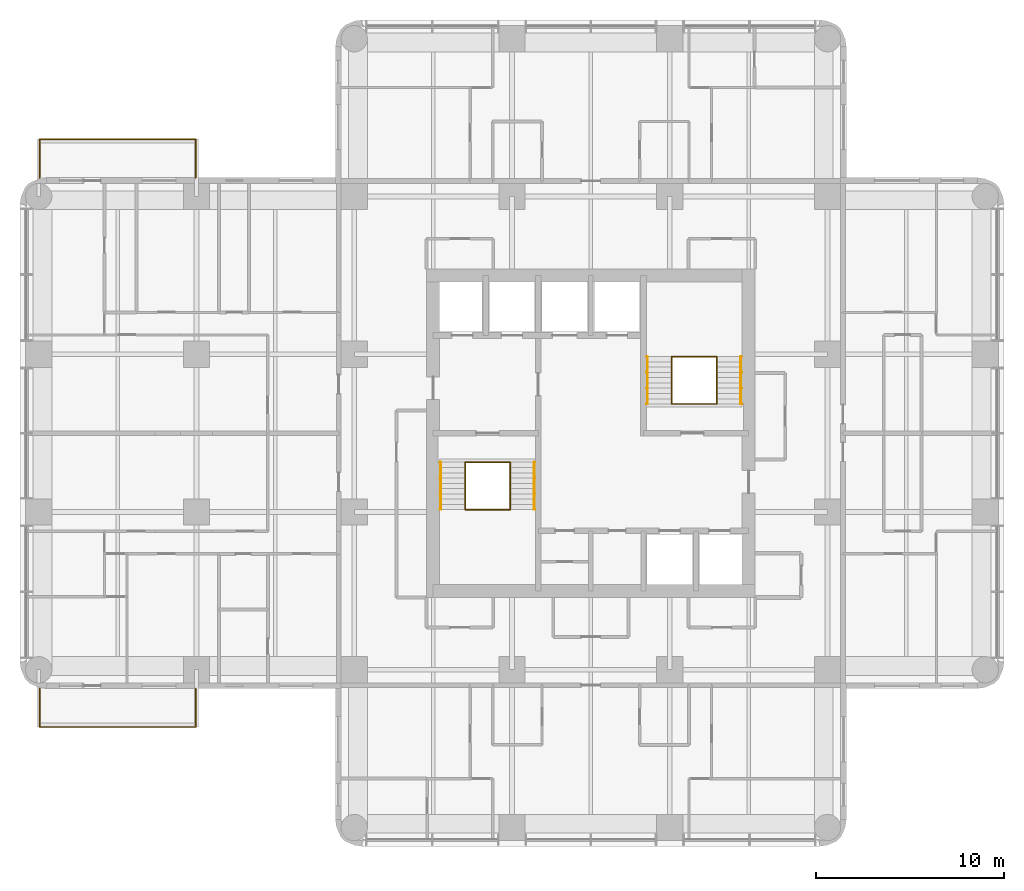
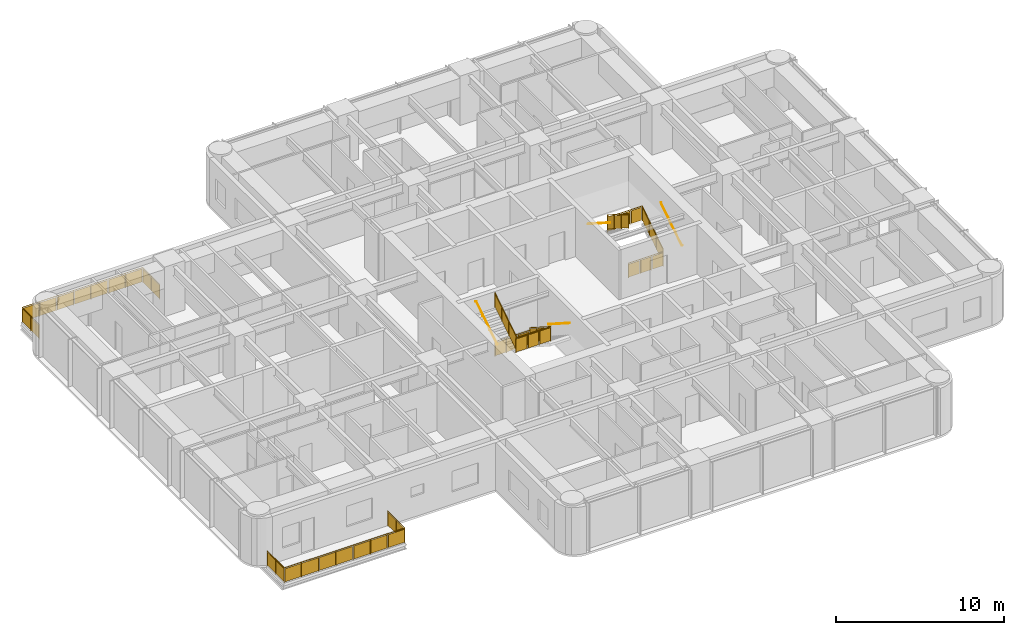
# One storey, part 11 of 11: 14 railings.
"""IFC4 building model written with IfcOpenShell, lengths in metres."""

from ifc_helpers import new_model, si_unit, direction, frame, origin, origin_2d, place, context, subcontext, project, spatial, polyline, circle, outline, extrude, material, constituent, constituent_set, type_object, element, save


model = new_model("IFC4")

# Units and contexts
model_context = context("Model", 3, precision=1e-05, world=origin(), true_north=direction((0.0, 1.0)))
body_context = subcontext(model_context, "Body", "Model", "MODEL_VIEW")
ifc_project = project(units=[si_unit("LENGTHUNIT", "METRE"), si_unit("AREAUNIT", "SQUARE_METRE"), si_unit("VOLUMEUNIT", "CUBIC_METRE"), si_unit("PLANEANGLEUNIT", "RADIAN"), si_unit("MASSUNIT", "GRAM", prefix="KILO")], contexts=[model_context])

# Site, building, storey
site_placement = place(None, origin())
site = spatial("IfcSite", under=ifc_project, at=site_placement, CompositionType="ELEMENT")
building_placement = place(site_placement, origin())
building = spatial("IfcBuilding", under=site, at=building_placement, Name="Torre Alcanfor", CompositionType="ELEMENT")
storey_placement = place(building_placement, frame((0.0, 0.0, 190.5)))
storey = spatial("IfcBuildingStorey", under=building, at=storey_placement, Name="L49", CompositionType="ELEMENT", Elevation=190.5)

# Railings
ifc_material_1 = material(Name="Laminated safety glass", Category="glass")
ifc_constituent_1 = constituent(ifc_material_1, Name="Infill")
ifc_material_2 = material(Name="Stainless steel ASTM A554 Grade MT 316L tube", Category="steel")
ifc_constituent_2 = constituent(ifc_material_2, Name="Posts and rail")
ifc_constituent_set = constituent_set(constituents=[ifc_constituent_1, ifc_constituent_2], Name="Balcony guard glass 1100")
railing_type_1 = type_object("IfcRailingType", Name="Balcony guard glass 1100", PredefinedType="BALUSTRADE", material=ifc_constituent_set)
railing_1_placement = place(storey_placement, frame((8.35009765625, 15.800048828125, 0.0)))
element("IfcRailing", 1, at=railing_1_placement, inside=storey, type_object=railing_type_1, Name="Balcony guard L49-W1", PredefinedType="BALUSTRADE", context=body_context, shape_type="SweptSolid", body=[
    extrude(circle(Radius=0.02392578125, at=origin_2d()), frame((0.0, 0.0, 1.076171875), z_axis=(0.0, -1.0, 0.0), x_axis=(1.0, 0.0, 0.0)), (0.0, 0.0, 1.0), 2.050048828125),
    extrude(circle(Radius=0.02392578125, at=origin_2d()), frame((0.0, -2.050048828125, 1.076171875), z_axis=(-1.0, 0.0, 0.0), x_axis=(0.0, -1.0, 0.0)), (0.0, 0.0, 1.0), 8.300048828125),
    extrude(circle(Radius=0.02392578125, at=origin_2d()), frame((-8.300048828125, -2.050048828125, 1.076171875), z_axis=(0.0, 1.0, 0.0), x_axis=(-1.0, 0.0, 0.0)), (0.0, 0.0, 1.0), 2.050048828125),
    extrude(circle(Radius=0.02099609375, at=origin_2d()), origin(), (0.0, 0.0, 1.0), 1.052001953125),
    extrude(circle(Radius=0.02099609375, at=origin_2d()), frame((0.0, -1.02490234375, 0.0)), (0.0, 0.0, 1.0), 1.052001953125),
    extrude(circle(Radius=0.02099609375, at=origin_2d()), frame((0.0, -2.050048828125, 0.0)), (0.0, 0.0, 1.0), 1.052001953125),
    extrude(circle(Radius=0.02099609375, at=origin_2d()), frame((-1.185791015625, -2.050048828125, 0.0)), (0.0, 0.0, 1.0), 1.052001953125),
    extrude(circle(Radius=0.02099609375, at=origin_2d()), frame((-2.371337890625, -2.050048828125, 0.0)), (0.0, 0.0, 1.0), 1.052001953125),
    extrude(circle(Radius=0.02099609375, at=origin_2d()), frame((-3.55712890625, -2.050048828125, 0.0)), (0.0, 0.0, 1.0), 1.052001953125),
    extrude(circle(Radius=0.02099609375, at=origin_2d()), frame((-4.742919921875, -2.050048828125, 0.0)), (0.0, 0.0, 1.0), 1.052001953125),
    extrude(circle(Radius=0.02099609375, at=origin_2d()), frame((-5.9287109375, -2.050048828125, 0.0)), (0.0, 0.0, 1.0), 1.052001953125),
    extrude(circle(Radius=0.02099609375, at=origin_2d()), frame((-7.1142578125, -2.050048828125, 0.0)), (0.0, 0.0, 1.0), 1.052001953125),
    extrude(circle(Radius=0.02099609375, at=origin_2d()), frame((-8.300048828125, -2.050048828125, 0.0)), (0.0, 0.0, 1.0), 1.052001953125),
    extrude(circle(Radius=0.02099609375, at=origin_2d()), frame((-8.300048828125, -1.02490234375, 0.0)), (0.0, 0.0, 1.0), 1.052001953125),
    extrude(circle(Radius=0.02099609375, at=origin_2d()), frame((-8.300048828125, 0.0, 0.0)), (0.0, 0.0, 1.0), 1.052001953125),
    extrude(outline(polyline([(0.041015625, 0.050048828125), (0.984130859375, 0.050048828125), (0.984130859375, 1.001953125), (0.041015625, 1.001953125), (0.041015625, 0.050048828125)])), frame((0.005859375, 0.0, 0.0), z_axis=(-1.0, 0.0, 0.0), x_axis=(0.0, -1.0, 0.0)), (0.0, 0.0, 1.0), 0.011962890625),
    extrude(outline(polyline([(1.06591796875, 0.050048828125), (2.009033203125, 0.050048828125), (2.009033203125, 1.001953125), (1.06591796875, 1.001953125), (1.06591796875, 0.050048828125)])), frame((0.005859375, 0.0, 0.0), z_axis=(-1.0, 0.0, 0.0), x_axis=(0.0, -1.0, 0.0)), (0.0, 0.0, 1.0), 0.011962890625),
    extrude(outline(polyline([(0.041015625, 0.050048828125), (1.144775390625, 0.050048828125), (1.144775390625, 1.001953125), (0.041015625, 1.001953125), (0.041015625, 0.050048828125)])), frame((0.0, -2.05615234375, 0.0), z_axis=(0.0, 1.0, 0.0), x_axis=(-1.0, 0.0, 0.0)), (0.0, 0.0, 1.0), 0.011962890625),
    extrude(outline(polyline([(1.226806640625, 0.050048828125), (2.330322265625, 0.050048828125), (2.330322265625, 1.001953125), (1.226806640625, 1.001953125), (1.226806640625, 0.050048828125)])), frame((0.0, -2.05615234375, 0.0), z_axis=(0.0, 1.0, 0.0), x_axis=(-1.0, 0.0, 0.0)), (0.0, 0.0, 1.0), 0.011962890625),
    extrude(outline(polyline([(2.412353515625, 0.050048828125), (3.51611328125, 0.050048828125), (3.51611328125, 1.001953125), (2.412353515625, 1.001953125), (2.412353515625, 0.050048828125)])), frame((0.0, -2.05615234375, 0.0), z_axis=(0.0, 1.0, 0.0), x_axis=(-1.0, 0.0, 0.0)), (0.0, 0.0, 1.0), 0.011962890625),
    extrude(outline(polyline([(3.59814453125, 0.050048828125), (4.701904296875, 0.050048828125), (4.701904296875, 1.001953125), (3.59814453125, 1.001953125), (3.59814453125, 0.050048828125)])), frame((0.0, -2.05615234375, 0.0), z_axis=(0.0, 1.0, 0.0), x_axis=(-1.0, 0.0, 0.0)), (0.0, 0.0, 1.0), 0.011962890625),
    extrude(outline(polyline([(4.783935546875, 0.050048828125), (5.8876953125, 0.050048828125), (5.8876953125, 1.001953125), (4.783935546875, 1.001953125), (4.783935546875, 0.050048828125)])), frame((0.0, -2.05615234375, 0.0), z_axis=(0.0, 1.0, 0.0), x_axis=(-1.0, 0.0, 0.0)), (0.0, 0.0, 1.0), 0.011962890625),
    extrude(outline(polyline([(5.9697265625, 0.050048828125), (7.0732421875, 0.050048828125), (7.0732421875, 1.001953125), (5.9697265625, 1.001953125), (5.9697265625, 0.050048828125)])), frame((0.0, -2.05615234375, 0.0), z_axis=(0.0, 1.0, 0.0), x_axis=(-1.0, 0.0, 0.0)), (0.0, 0.0, 1.0), 0.011962890625),
    extrude(outline(polyline([(7.1552734375, 0.050048828125), (8.259033203125, 0.050048828125), (8.259033203125, 1.001953125), (7.1552734375, 1.001953125), (7.1552734375, 0.050048828125)])), frame((0.0, -2.05615234375, 0.0), z_axis=(0.0, 1.0, 0.0), x_axis=(-1.0, 0.0, 0.0)), (0.0, 0.0, 1.0), 0.011962890625),
    extrude(outline(polyline([(0.041015625, 0.050048828125), (0.984130859375, 0.050048828125), (0.984130859375, 1.001953125), (0.041015625, 1.001953125), (0.041015625, 0.050048828125)])), frame((-8.30615234375, -2.050048828125, 0.0), z_axis=(1.0, 0.0, 0.0), x_axis=(0.0, 1.0, 0.0)), (0.0, 0.0, 1.0), 0.011962890625),
    extrude(outline(polyline([(1.06591796875, 0.050048828125), (2.009033203125, 0.050048828125), (2.009033203125, 1.001953125), (1.06591796875, 1.001953125), (1.06591796875, 0.050048828125)])), frame((-8.30615234375, -2.050048828125, 0.0), z_axis=(1.0, 0.0, 0.0), x_axis=(0.0, 1.0, 0.0)), (0.0, 0.0, 1.0), 0.011962890625),
])
railing_2_placement = place(storey_placement, frame((8.35009765625, 43.0, 0.0)))
element("IfcRailing", 2, at=railing_2_placement, inside=storey, type_object=railing_type_1, Name="Balcony guard L49-W2", PredefinedType="BALUSTRADE", context=body_context, shape_type="SweptSolid", body=[
    extrude(circle(Radius=0.02392578125, at=origin_2d()), frame((0.0, 0.0, 1.076171875), z_axis=(0.0, 1.0, 0.0), x_axis=(-1.0, 0.0, 0.0)), (0.0, 0.0, 1.0), 2.050048828125),
    extrude(circle(Radius=0.02392578125, at=origin_2d()), frame((0.0, 2.050048828125, 1.076171875), z_axis=(-1.0, 0.0, 0.0), x_axis=(0.0, -1.0, 0.0)), (0.0, 0.0, 1.0), 8.300048828125),
    extrude(circle(Radius=0.02392578125, at=origin_2d()), frame((-8.300048828125, 2.050048828125, 1.076171875), z_axis=(0.0, -1.0, 0.0), x_axis=(1.0, 0.0, 0.0)), (0.0, 0.0, 1.0), 2.050048828125),
    extrude(circle(Radius=0.02099609375, at=origin_2d()), origin(), (0.0, 0.0, 1.0), 1.052001953125),
    extrude(circle(Radius=0.02099609375, at=origin_2d()), frame((0.0, 1.02490234375, 0.0)), (0.0, 0.0, 1.0), 1.052001953125),
    extrude(circle(Radius=0.02099609375, at=origin_2d()), frame((0.0, 2.050048828125, 0.0)), (0.0, 0.0, 1.0), 1.052001953125),
    extrude(circle(Radius=0.02099609375, at=origin_2d()), frame((-1.185791015625, 2.050048828125, 0.0)), (0.0, 0.0, 1.0), 1.052001953125),
    extrude(circle(Radius=0.02099609375, at=origin_2d()), frame((-2.371337890625, 2.050048828125, 0.0)), (0.0, 0.0, 1.0), 1.052001953125),
    extrude(circle(Radius=0.02099609375, at=origin_2d()), frame((-3.55712890625, 2.050048828125, 0.0)), (0.0, 0.0, 1.0), 1.052001953125),
    extrude(circle(Radius=0.02099609375, at=origin_2d()), frame((-4.742919921875, 2.050048828125, 0.0)), (0.0, 0.0, 1.0), 1.052001953125),
    extrude(circle(Radius=0.02099609375, at=origin_2d()), frame((-5.9287109375, 2.050048828125, 0.0)), (0.0, 0.0, 1.0), 1.052001953125),
    extrude(circle(Radius=0.02099609375, at=origin_2d()), frame((-7.1142578125, 2.050048828125, 0.0)), (0.0, 0.0, 1.0), 1.052001953125),
    extrude(circle(Radius=0.02099609375, at=origin_2d()), frame((-8.300048828125, 2.050048828125, 0.0)), (0.0, 0.0, 1.0), 1.052001953125),
    extrude(circle(Radius=0.02099609375, at=origin_2d()), frame((-8.300048828125, 1.02490234375, 0.0)), (0.0, 0.0, 1.0), 1.052001953125),
    extrude(circle(Radius=0.02099609375, at=origin_2d()), frame((-8.300048828125, 0.0, 0.0)), (0.0, 0.0, 1.0), 1.052001953125),
    extrude(outline(polyline([(0.041015625, 0.050048828125), (0.984130859375, 0.050048828125), (0.984130859375, 1.001953125), (0.041015625, 1.001953125), (0.041015625, 0.050048828125)])), frame((-0.005859375, 0.0, 0.0), z_axis=(1.0, 0.0, 0.0), x_axis=(0.0, 1.0, 0.0)), (0.0, 0.0, 1.0), 0.011962890625),
    extrude(outline(polyline([(1.06591796875, 0.050048828125), (2.009033203125, 0.050048828125), (2.009033203125, 1.001953125), (1.06591796875, 1.001953125), (1.06591796875, 0.050048828125)])), frame((-0.005859375, 0.0, 0.0), z_axis=(1.0, 0.0, 0.0), x_axis=(0.0, 1.0, 0.0)), (0.0, 0.0, 1.0), 0.011962890625),
    extrude(outline(polyline([(0.041015625, 0.050048828125), (1.144775390625, 0.050048828125), (1.144775390625, 1.001953125), (0.041015625, 1.001953125), (0.041015625, 0.050048828125)])), frame((0.0, 2.0439453125, 0.0), z_axis=(0.0, 1.0, 0.0), x_axis=(-1.0, 0.0, 0.0)), (0.0, 0.0, 1.0), 0.011962890625),
    extrude(outline(polyline([(1.226806640625, 0.050048828125), (2.330322265625, 0.050048828125), (2.330322265625, 1.001953125), (1.226806640625, 1.001953125), (1.226806640625, 0.050048828125)])), frame((0.0, 2.0439453125, 0.0), z_axis=(0.0, 1.0, 0.0), x_axis=(-1.0, 0.0, 0.0)), (0.0, 0.0, 1.0), 0.011962890625),
    extrude(outline(polyline([(2.412353515625, 0.050048828125), (3.51611328125, 0.050048828125), (3.51611328125, 1.001953125), (2.412353515625, 1.001953125), (2.412353515625, 0.050048828125)])), frame((0.0, 2.0439453125, 0.0), z_axis=(0.0, 1.0, 0.0), x_axis=(-1.0, 0.0, 0.0)), (0.0, 0.0, 1.0), 0.011962890625),
    extrude(outline(polyline([(3.59814453125, 0.050048828125), (4.701904296875, 0.050048828125), (4.701904296875, 1.001953125), (3.59814453125, 1.001953125), (3.59814453125, 0.050048828125)])), frame((0.0, 2.0439453125, 0.0), z_axis=(0.0, 1.0, 0.0), x_axis=(-1.0, 0.0, 0.0)), (0.0, 0.0, 1.0), 0.011962890625),
    extrude(outline(polyline([(4.783935546875, 0.050048828125), (5.8876953125, 0.050048828125), (5.8876953125, 1.001953125), (4.783935546875, 1.001953125), (4.783935546875, 0.050048828125)])), frame((0.0, 2.0439453125, 0.0), z_axis=(0.0, 1.0, 0.0), x_axis=(-1.0, 0.0, 0.0)), (0.0, 0.0, 1.0), 0.011962890625),
    extrude(outline(polyline([(5.9697265625, 0.050048828125), (7.0732421875, 0.050048828125), (7.0732421875, 1.001953125), (5.9697265625, 1.001953125), (5.9697265625, 0.050048828125)])), frame((0.0, 2.0439453125, 0.0), z_axis=(0.0, 1.0, 0.0), x_axis=(-1.0, 0.0, 0.0)), (0.0, 0.0, 1.0), 0.011962890625),
    extrude(outline(polyline([(7.1552734375, 0.050048828125), (8.259033203125, 0.050048828125), (8.259033203125, 1.001953125), (7.1552734375, 1.001953125), (7.1552734375, 0.050048828125)])), frame((0.0, 2.0439453125, 0.0), z_axis=(0.0, 1.0, 0.0), x_axis=(-1.0, 0.0, 0.0)), (0.0, 0.0, 1.0), 0.011962890625),
    extrude(outline(polyline([(0.041015625, 0.050048828125), (0.984130859375, 0.050048828125), (0.984130859375, 1.001953125), (0.041015625, 1.001953125), (0.041015625, 0.050048828125)])), frame((-8.2939453125, 2.050048828125, 0.0), z_axis=(-1.0, 0.0, 0.0), x_axis=(0.0, -1.0, 0.0)), (0.0, 0.0, 1.0), 0.011962890625),
    extrude(outline(polyline([(1.06591796875, 0.050048828125), (2.009033203125, 0.050048828125), (2.009033203125, 1.001953125), (1.06591796875, 1.001953125), (1.06591796875, 0.050048828125)])), frame((-8.2939453125, 2.050048828125, 0.0), z_axis=(-1.0, 0.0, 0.0), x_axis=(0.0, -1.0, 0.0)), (0.0, 0.0, 1.0), 0.011962890625),
])
ifc_material_3 = material(Name="Steel ASTM A500 Grade C hollow sections", Category="steel")
railing_type_2 = type_object("IfcRailingType", Name="Stair guard and handrail 1100", PredefinedType="GUARDRAIL", material=ifc_material_3)
railing_3_placement = place(storey_placement, frame((25.10009765625, 27.85009765625, 0.179931640625)))
element("IfcRailing", 3, at=railing_3_placement, inside=storey, type_object=railing_type_2, Name="Stair guard S1 L49 flight 1", PredefinedType="GUARDRAIL", context=body_context, shape_type="SweptSolid", body=[
    extrude(circle(Radius=0.02392578125, at=origin_2d()), frame((0.0, 0.0, 1.076171875), z_axis=(0.0, -0.841162588446, 0.540782303519), x_axis=(1.0, 0.0, 0.0)), (0.0, 0.0, 1.0), 2.995849609375),
    extrude(circle(Radius=0.02099609375, at=origin_2d()), origin(), (0.0, 0.0, 1.0), 1.052001953125),
    extrude(circle(Radius=0.02099609375, at=origin_2d()), frame((0.0, -0.840087890625, 0.5400390625)), (0.0, 0.0, 1.0), 1.052001953125),
    extrude(circle(Radius=0.02099609375, at=origin_2d()), frame((0.0, -1.679931640625, 1.080078125)), (0.0, 0.0, 1.0), 1.052001953125),
    extrude(circle(Radius=0.02099609375, at=origin_2d()), frame((0.0, -2.52001953125, 1.6201171875)), (0.0, 0.0, 1.0), 1.052001953125),
    extrude(outline(polyline([(0.041015625, 0.076416015625), (0.799072265625, 0.563720703125), (0.799072265625, 1.515625), (0.041015625, 1.0283203125), (0.041015625, 0.076416015625)])), frame((0.005859375, 0.0, 0.0), z_axis=(-1.0, 0.0, 0.0), x_axis=(0.0, -1.0, 0.0)), (0.0, 0.0, 1.0), 0.011962890625),
    extrude(outline(polyline([(0.881103515625, 0.616455078125), (1.638916015625, 1.103759765625), (1.638916015625, 2.0556640625), (0.881103515625, 1.568359375), (0.881103515625, 0.616455078125)])), frame((0.005859375, 0.0, 0.0), z_axis=(-1.0, 0.0, 0.0), x_axis=(0.0, -1.0, 0.0)), (0.0, 0.0, 1.0), 0.011962890625),
    extrude(outline(polyline([(1.720947265625, 1.156494140625), (2.47900390625, 1.643798828125), (2.47900390625, 2.595703125), (1.720947265625, 2.1083984375), (1.720947265625, 1.156494140625)])), frame((0.005859375, 0.0, 0.0), z_axis=(-1.0, 0.0, 0.0), x_axis=(0.0, -1.0, 0.0)), (0.0, 0.0, 1.0), 0.011962890625),
])
railing_4_placement = place(storey_placement, frame((22.699951171875, 25.330078125, 1.97998046875)))
element("IfcRailing", 4, at=railing_4_placement, inside=storey, type_object=railing_type_2, Name="Stair guard S1 L49 flight 2", PredefinedType="GUARDRAIL", context=body_context, shape_type="SweptSolid", body=[
    extrude(circle(Radius=0.02392578125, at=origin_2d()), frame((0.0, 0.0, 1.076171875), z_axis=(0.0, 0.841162588446, 0.540782303519), x_axis=(-1.0, 0.0, 0.0)), (0.0, 0.0, 1.0), 2.995849609375),
    extrude(circle(Radius=0.02099609375, at=origin_2d()), origin(), (0.0, 0.0, 1.0), 1.052001953125),
    extrude(circle(Radius=0.02099609375, at=origin_2d()), frame((0.0, 0.840087890625, 0.5400390625)), (0.0, 0.0, 1.0), 1.052001953125),
    extrude(circle(Radius=0.02099609375, at=origin_2d()), frame((0.0, 1.679931640625, 1.080078125)), (0.0, 0.0, 1.0), 1.052001953125),
    extrude(circle(Radius=0.02099609375, at=origin_2d()), frame((0.0, 2.52001953125, 1.6201171875)), (0.0, 0.0, 1.0), 1.052001953125),
    extrude(outline(polyline([(0.041015625, 0.076416015625), (0.799072265625, 0.563720703125), (0.799072265625, 1.515625), (0.041015625, 1.0283203125), (0.041015625, 0.076416015625)])), frame((-0.005859375, 0.0, 0.0), z_axis=(1.0, 0.0, 0.0), x_axis=(0.0, 1.0, 0.0)), (0.0, 0.0, 1.0), 0.011962890625),
    extrude(outline(polyline([(0.881103515625, 0.616455078125), (1.638916015625, 1.103759765625), (1.638916015625, 2.0556640625), (0.881103515625, 1.568359375), (0.881103515625, 0.616455078125)])), frame((-0.005859375, 0.0, 0.0), z_axis=(1.0, 0.0, 0.0), x_axis=(0.0, 1.0, 0.0)), (0.0, 0.0, 1.0), 0.011962890625),
    extrude(outline(polyline([(1.720947265625, 1.156494140625), (2.47900390625, 1.643798828125), (2.47900390625, 2.595703125), (1.720947265625, 2.1083984375), (1.720947265625, 1.156494140625)])), frame((-0.005859375, 0.0, 0.0), z_axis=(1.0, 0.0, 0.0), x_axis=(0.0, 1.0, 0.0)), (0.0, 0.0, 1.0), 0.011962890625),
])
for number, where, name in (
    (5, (22.699951171875, 27.85009765625, 0.0), "Stair well guard S1 L49 floor landing"),
    (6, (22.699951171875, 25.330078125, 1.800048828125), "Stair well guard S1 L49 half landing"),
):
    element("IfcRailing", number, at=place(storey_placement, frame(where)), inside=storey, type_object=railing_type_2, Name=name, PredefinedType="GUARDRAIL", context=body_context, shape_type="SweptSolid", body=[
        extrude(circle(Radius=0.02392578125, at=origin_2d()), frame((0.0, 0.0, 1.076171875), z_axis=(1.0, 0.0, 0.0), x_axis=(0.0, 1.0, 0.0)), (0.0, 0.0, 1.0), 2.400146484375),
        extrude(circle(Radius=0.02099609375, at=origin_2d()), origin(), (0.0, 0.0, 1.0), 1.052001953125),
        extrude(circle(Radius=0.02099609375, at=origin_2d()), frame((0.800048828125, 0.0, 0.0)), (0.0, 0.0, 1.0), 1.052001953125),
        extrude(circle(Radius=0.02099609375, at=origin_2d()), frame((1.60009765625, 0.0, 0.0)), (0.0, 0.0, 1.0), 1.052001953125),
        extrude(circle(Radius=0.02099609375, at=origin_2d()), frame((2.400146484375, 0.0, 0.0)), (0.0, 0.0, 1.0), 1.052001953125),
        extrude(outline(polyline([(0.041015625, 0.050048828125), (0.759033203125, 0.050048828125), (0.759033203125, 1.001953125), (0.041015625, 1.001953125), (0.041015625, 0.050048828125)])), frame((0.0, 0.005859375, 0.0), z_axis=(0.0, -1.0, 0.0), x_axis=(1.0, 0.0, 0.0)), (0.0, 0.0, 1.0), 0.011962890625),
        extrude(outline(polyline([(0.841064453125, 0.050048828125), (1.55908203125, 0.050048828125), (1.55908203125, 1.001953125), (0.841064453125, 1.001953125), (0.841064453125, 0.050048828125)])), frame((0.0, 0.005859375, 0.0), z_axis=(0.0, -1.0, 0.0), x_axis=(1.0, 0.0, 0.0)), (0.0, 0.0, 1.0), 0.011962890625),
        extrude(outline(polyline([(1.64111328125, 0.050048828125), (2.359130859375, 0.050048828125), (2.359130859375, 1.001953125), (1.64111328125, 1.001953125), (1.64111328125, 0.050048828125)])), frame((0.0, 0.005859375, 0.0), z_axis=(0.0, -1.0, 0.0), x_axis=(1.0, 0.0, 0.0)), (0.0, 0.0, 1.0), 0.011962890625),
    ])
railing_5_placement = place(storey_placement, frame((36.10009765625, 30.949951171875, 0.179931640625)))
element("IfcRailing", 7, at=railing_5_placement, inside=storey, type_object=railing_type_2, Name="Stair guard S2 L49 flight 1", PredefinedType="GUARDRAIL", context=body_context, shape_type="SweptSolid", body=[
    extrude(circle(Radius=0.02392578125, at=origin_2d()), frame((0.0, 0.0, 1.076171875), z_axis=(0.0, 0.841162588446, 0.540782303519), x_axis=(-1.0, 0.0, 0.0)), (0.0, 0.0, 1.0), 2.995849609375),
    extrude(circle(Radius=0.02099609375, at=origin_2d()), origin(), (0.0, 0.0, 1.0), 1.052001953125),
    extrude(circle(Radius=0.02099609375, at=origin_2d()), frame((0.0, 0.840087890625, 0.5400390625)), (0.0, 0.0, 1.0), 1.052001953125),
    extrude(circle(Radius=0.02099609375, at=origin_2d()), frame((0.0, 1.679931640625, 1.080078125)), (0.0, 0.0, 1.0), 1.052001953125),
    extrude(circle(Radius=0.02099609375, at=origin_2d()), frame((0.0, 2.52001953125, 1.6201171875)), (0.0, 0.0, 1.0), 1.052001953125),
    extrude(outline(polyline([(0.041015625, 0.076416015625), (0.799072265625, 0.563720703125), (0.799072265625, 1.515625), (0.041015625, 1.0283203125), (0.041015625, 0.076416015625)])), frame((-0.005859375, 0.0, 0.0), z_axis=(1.0, 0.0, 0.0), x_axis=(0.0, 1.0, 0.0)), (0.0, 0.0, 1.0), 0.011962890625),
    extrude(outline(polyline([(0.881103515625, 0.616455078125), (1.638916015625, 1.103759765625), (1.638916015625, 2.0556640625), (0.881103515625, 1.568359375), (0.881103515625, 0.616455078125)])), frame((-0.005859375, 0.0, 0.0), z_axis=(1.0, 0.0, 0.0), x_axis=(0.0, 1.0, 0.0)), (0.0, 0.0, 1.0), 0.011962890625),
    extrude(outline(polyline([(1.720947265625, 1.156494140625), (2.47900390625, 1.643798828125), (2.47900390625, 2.595703125), (1.720947265625, 2.1083984375), (1.720947265625, 1.156494140625)])), frame((-0.005859375, 0.0, 0.0), z_axis=(1.0, 0.0, 0.0), x_axis=(0.0, 1.0, 0.0)), (0.0, 0.0, 1.0), 0.011962890625),
])
railing_6_placement = place(storey_placement, frame((33.699951171875, 33.469970703125, 1.97998046875)))
element("IfcRailing", 8, at=railing_6_placement, inside=storey, type_object=railing_type_2, Name="Stair guard S2 L49 flight 2", PredefinedType="GUARDRAIL", context=body_context, shape_type="SweptSolid", body=[
    extrude(circle(Radius=0.02392578125, at=origin_2d()), frame((0.0, 0.0, 1.076171875), z_axis=(0.0, -0.841162588446, 0.540782303519), x_axis=(1.0, 0.0, 0.0)), (0.0, 0.0, 1.0), 2.995849609375),
    extrude(circle(Radius=0.02099609375, at=origin_2d()), origin(), (0.0, 0.0, 1.0), 1.052001953125),
    extrude(circle(Radius=0.02099609375, at=origin_2d()), frame((0.0, -0.840087890625, 0.5400390625)), (0.0, 0.0, 1.0), 1.052001953125),
    extrude(circle(Radius=0.02099609375, at=origin_2d()), frame((0.0, -1.679931640625, 1.080078125)), (0.0, 0.0, 1.0), 1.052001953125),
    extrude(circle(Radius=0.02099609375, at=origin_2d()), frame((0.0, -2.52001953125, 1.6201171875)), (0.0, 0.0, 1.0), 1.052001953125),
    extrude(outline(polyline([(0.041015625, 0.076416015625), (0.799072265625, 0.563720703125), (0.799072265625, 1.515625), (0.041015625, 1.0283203125), (0.041015625, 0.076416015625)])), frame((0.005859375, 0.0, 0.0), z_axis=(-1.0, 0.0, 0.0), x_axis=(0.0, -1.0, 0.0)), (0.0, 0.0, 1.0), 0.011962890625),
    extrude(outline(polyline([(0.881103515625, 0.616455078125), (1.638916015625, 1.103759765625), (1.638916015625, 2.0556640625), (0.881103515625, 1.568359375), (0.881103515625, 0.616455078125)])), frame((0.005859375, 0.0, 0.0), z_axis=(-1.0, 0.0, 0.0), x_axis=(0.0, -1.0, 0.0)), (0.0, 0.0, 1.0), 0.011962890625),
    extrude(outline(polyline([(1.720947265625, 1.156494140625), (2.47900390625, 1.643798828125), (2.47900390625, 2.595703125), (1.720947265625, 2.1083984375), (1.720947265625, 1.156494140625)])), frame((0.005859375, 0.0, 0.0), z_axis=(-1.0, 0.0, 0.0), x_axis=(0.0, -1.0, 0.0)), (0.0, 0.0, 1.0), 0.011962890625),
])
for number, where, name in (
    (9, (33.699951171875, 30.949951171875, 0.0), "Stair well guard S2 L49 floor landing"),
    (10, (33.699951171875, 33.469970703125, 1.800048828125), "Stair well guard S2 L49 half landing"),
):
    element("IfcRailing", number, at=place(storey_placement, frame(where)), inside=storey, type_object=railing_type_2, Name=name, PredefinedType="GUARDRAIL", context=body_context, shape_type="SweptSolid", body=[
        extrude(circle(Radius=0.02392578125, at=origin_2d()), frame((0.0, 0.0, 1.076171875), z_axis=(1.0, 0.0, 0.0), x_axis=(0.0, 1.0, 0.0)), (0.0, 0.0, 1.0), 2.400146484375),
        extrude(circle(Radius=0.02099609375, at=origin_2d()), origin(), (0.0, 0.0, 1.0), 1.052001953125),
        extrude(circle(Radius=0.02099609375, at=origin_2d()), frame((0.800048828125, 0.0, 0.0)), (0.0, 0.0, 1.0), 1.052001953125),
        extrude(circle(Radius=0.02099609375, at=origin_2d()), frame((1.60009765625, 0.0, 0.0)), (0.0, 0.0, 1.0), 1.052001953125),
        extrude(circle(Radius=0.02099609375, at=origin_2d()), frame((2.400146484375, 0.0, 0.0)), (0.0, 0.0, 1.0), 1.052001953125),
        extrude(outline(polyline([(0.041015625, 0.050048828125), (0.759033203125, 0.050048828125), (0.759033203125, 1.001953125), (0.041015625, 1.001953125), (0.041015625, 0.050048828125)])), frame((0.0, 0.005859375, 0.0), z_axis=(0.0, -1.0, 0.0), x_axis=(1.0, 0.0, 0.0)), (0.0, 0.0, 1.0), 0.011962890625),
        extrude(outline(polyline([(0.841064453125, 0.050048828125), (1.55908203125, 0.050048828125), (1.55908203125, 1.001953125), (0.841064453125, 1.001953125), (0.841064453125, 0.050048828125)])), frame((0.0, 0.005859375, 0.0), z_axis=(0.0, -1.0, 0.0), x_axis=(1.0, 0.0, 0.0)), (0.0, 0.0, 1.0), 0.011962890625),
        extrude(outline(polyline([(1.64111328125, 0.050048828125), (2.359130859375, 0.050048828125), (2.359130859375, 1.001953125), (1.64111328125, 1.001953125), (1.64111328125, 0.050048828125)])), frame((0.0, 0.005859375, 0.0), z_axis=(0.0, -1.0, 0.0), x_axis=(1.0, 0.0, 0.0)), (0.0, 0.0, 1.0), 0.011962890625),
    ])
ifc_material_4 = material(Name="Steel ASTM A500 Grade C hollow sections", Category="steel")
railing_type_3 = type_object("IfcRailingType", Name="Stair wall handrail 900", PredefinedType="HANDRAIL", material=ifc_material_4)
railing_7_placement = place(storey_placement, frame((26.385009765625, 27.85009765625, 0.179931640625)))
element("IfcRailing", 11, at=railing_7_placement, inside=storey, type_object=railing_type_3, Name="Stair handrail S1 L49 flight 1", PredefinedType="HANDRAIL", context=body_context, shape_type="SweptSolid", body=[
    extrude(circle(Radius=0.02392578125, at=origin_2d()), frame((0.0, 0.0, 0.8759765625), z_axis=(0.0, -0.841162588446, 0.540782303519), x_axis=(1.0, 0.0, 0.0)), (0.0, 0.0, 1.0), 2.995849609375),
    extrude(circle(Radius=0.008056640625, at=origin_2d()), frame((0.0, 0.0, 0.8759765625), z_axis=(1.0, 0.0, 0.0), x_axis=(0.0, 0.0, 1.0)), (0.0, 0.0, 1.0), 0.06494140625),
    extrude(circle(Radius=0.008056640625, at=origin_2d()), frame((0.0, -0.840087890625, 1.416015625), z_axis=(1.0, 0.0, 0.0), x_axis=(0.0, 0.0, 1.0)), (0.0, 0.0, 1.0), 0.06494140625),
    extrude(circle(Radius=0.008056640625, at=origin_2d()), frame((0.0, -1.679931640625, 1.9560546875), z_axis=(1.0, 0.0, 0.0), x_axis=(0.0, 0.0, 1.0)), (0.0, 0.0, 1.0), 0.06494140625),
    extrude(circle(Radius=0.008056640625, at=origin_2d()), frame((0.0, -2.52001953125, 2.49609375), z_axis=(1.0, 0.0, 0.0), x_axis=(0.0, 0.0, 1.0)), (0.0, 0.0, 1.0), 0.06494140625),
])
railing_8_placement = place(storey_placement, frame((21.4150390625, 25.330078125, 1.97998046875)))
element("IfcRailing", 12, at=railing_8_placement, inside=storey, type_object=railing_type_3, Name="Stair handrail S1 L49 flight 2", PredefinedType="HANDRAIL", context=body_context, shape_type="SweptSolid", body=[
    extrude(circle(Radius=0.02392578125, at=origin_2d()), frame((0.0, 0.0, 0.8759765625), z_axis=(0.0, 0.841162588446, 0.540782303519), x_axis=(-1.0, 0.0, 0.0)), (0.0, 0.0, 1.0), 2.995849609375),
    extrude(circle(Radius=0.008056640625, at=origin_2d()), frame((0.0, 0.0, 0.8759765625), z_axis=(-1.0, 0.0, 0.0), x_axis=(0.0, 0.0, 1.0)), (0.0, 0.0, 1.0), 0.06494140625),
    extrude(circle(Radius=0.008056640625, at=origin_2d()), frame((0.0, 0.840087890625, 1.416015625), z_axis=(-1.0, 0.0, 0.0), x_axis=(0.0, 0.0, 1.0)), (0.0, 0.0, 1.0), 0.06494140625),
    extrude(circle(Radius=0.008056640625, at=origin_2d()), frame((0.0, 1.679931640625, 1.9560546875), z_axis=(-1.0, 0.0, 0.0), x_axis=(0.0, 0.0, 1.0)), (0.0, 0.0, 1.0), 0.06494140625),
    extrude(circle(Radius=0.008056640625, at=origin_2d()), frame((0.0, 2.52001953125, 2.49609375), z_axis=(-1.0, 0.0, 0.0), x_axis=(0.0, 0.0, 1.0)), (0.0, 0.0, 1.0), 0.06494140625),
])
railing_9_placement = place(storey_placement, frame((37.385009765625, 30.949951171875, 0.179931640625)))
element("IfcRailing", 13, at=railing_9_placement, inside=storey, type_object=railing_type_3, Name="Stair handrail S2 L49 flight 1", PredefinedType="HANDRAIL", context=body_context, shape_type="SweptSolid", body=[
    extrude(circle(Radius=0.02392578125, at=origin_2d()), frame((0.0, 0.0, 0.8759765625), z_axis=(0.0, 0.841162588446, 0.540782303519), x_axis=(-1.0, 0.0, 0.0)), (0.0, 0.0, 1.0), 2.995849609375),
    extrude(circle(Radius=0.008056640625, at=origin_2d()), frame((0.0, 0.0, 0.8759765625), z_axis=(1.0, 0.0, 0.0), x_axis=(0.0, 0.0, 1.0)), (0.0, 0.0, 1.0), 0.06494140625),
    extrude(circle(Radius=0.008056640625, at=origin_2d()), frame((0.0, 0.840087890625, 1.416015625), z_axis=(1.0, 0.0, 0.0), x_axis=(0.0, 0.0, 1.0)), (0.0, 0.0, 1.0), 0.06494140625),
    extrude(circle(Radius=0.008056640625, at=origin_2d()), frame((0.0, 1.679931640625, 1.9560546875), z_axis=(1.0, 0.0, 0.0), x_axis=(0.0, 0.0, 1.0)), (0.0, 0.0, 1.0), 0.06494140625),
    extrude(circle(Radius=0.008056640625, at=origin_2d()), frame((0.0, 2.52001953125, 2.49609375), z_axis=(1.0, 0.0, 0.0), x_axis=(0.0, 0.0, 1.0)), (0.0, 0.0, 1.0), 0.06494140625),
])
railing_10_placement = place(storey_placement, frame((32.4150390625, 33.469970703125, 1.97998046875)))
element("IfcRailing", 14, at=railing_10_placement, inside=storey, type_object=railing_type_3, Name="Stair handrail S2 L49 flight 2", PredefinedType="HANDRAIL", context=body_context, shape_type="SweptSolid", body=[
    extrude(circle(Radius=0.02392578125, at=origin_2d()), frame((0.0, 0.0, 0.8759765625), z_axis=(0.0, -0.841162588446, 0.540782303519), x_axis=(1.0, 0.0, 0.0)), (0.0, 0.0, 1.0), 2.995849609375),
    extrude(circle(Radius=0.008056640625, at=origin_2d()), frame((0.0, 0.0, 0.8759765625), z_axis=(-1.0, 0.0, 0.0), x_axis=(0.0, 0.0, 1.0)), (0.0, 0.0, 1.0), 0.06494140625),
    extrude(circle(Radius=0.008056640625, at=origin_2d()), frame((0.0, -0.840087890625, 1.416015625), z_axis=(-1.0, 0.0, 0.0), x_axis=(0.0, 0.0, 1.0)), (0.0, 0.0, 1.0), 0.06494140625),
    extrude(circle(Radius=0.008056640625, at=origin_2d()), frame((0.0, -1.679931640625, 1.9560546875), z_axis=(-1.0, 0.0, 0.0), x_axis=(0.0, 0.0, 1.0)), (0.0, 0.0, 1.0), 0.06494140625),
    extrude(circle(Radius=0.008056640625, at=origin_2d()), frame((0.0, -2.52001953125, 2.49609375), z_axis=(-1.0, 0.0, 0.0), x_axis=(0.0, 0.0, 1.0)), (0.0, 0.0, 1.0), 0.06494140625),
])

save(model, "model.ifc")
